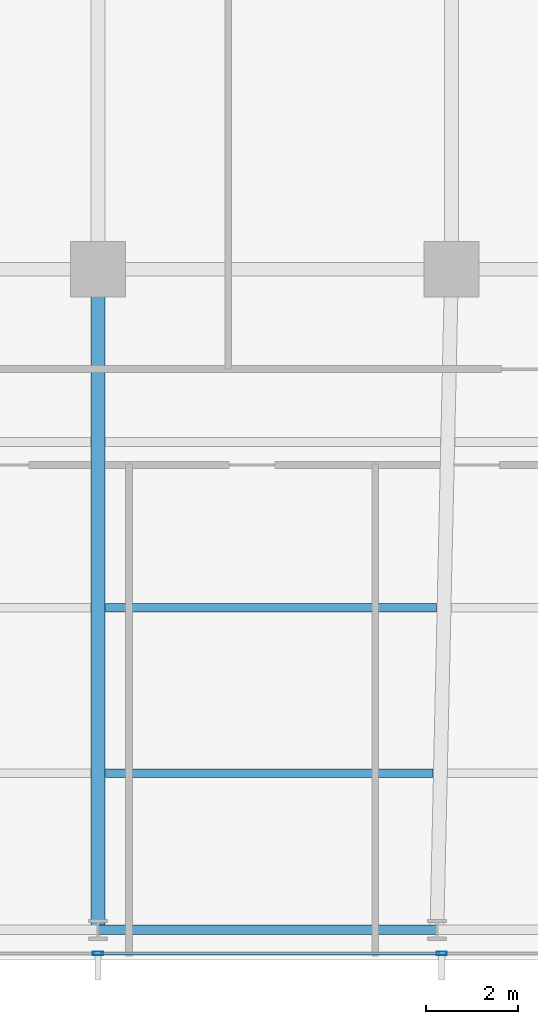
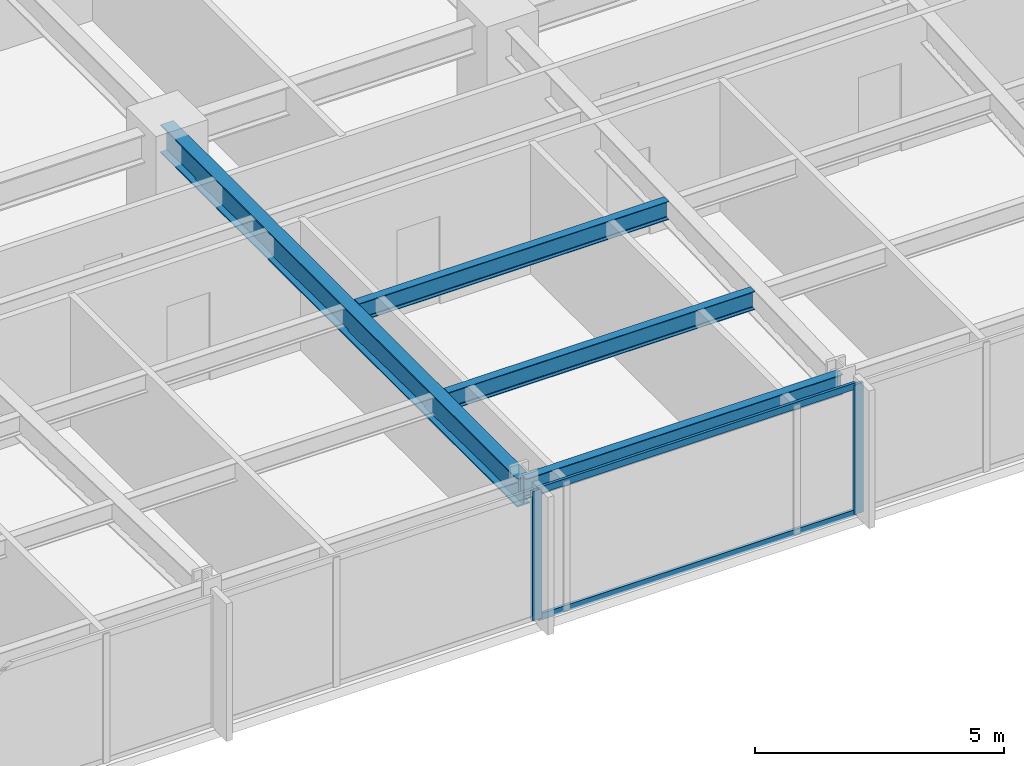
# One storey, part 11 of 32: 4 beams, 4 members, 1 element without a shape of its own.
"""IFC4 building model written with IfcOpenShell, lengths in metres."""

import ifcopenshell
import ifcopenshell.guid

model = None  # the IFC model being written
_history = None  # IfcOwnerHistory: only IFC2X3 demands one
_inside = {}  # id of a spatial element -> (the spatial element, [elements in it])
_under = {}  # id of a project, library or spatial element -> (it, [spatial elements below it])
_declared = {}  # id of a project -> (the project, [libraries it declares])
_typed = {}  # id of a type object -> (the type object, [elements of that type])
_made_of = {}  # id of a material, layer set ... -> (it, [elements and type objects made of it])


def new_model(schema):
    """Start an empty IFC model of exactly this schema.

    Asked for "IFC4X3", IfcOpenShell would pick the latest addendum, in which some entities
    have other attributes; the version numbers below select the first issue.
    IFC2X3 requires an IfcOwnerHistory on every rooted entity: one is made here for all.
    """
    global model, _history
    if schema == "IFC4X3":
        model = ifcopenshell.file(schema_version=(4, 3, 0, 0))
    else:
        model = ifcopenshell.file(schema=schema)
    _inside.clear()
    _under.clear()
    _declared.clear()
    _typed.clear()
    _made_of.clear()
    _history = None
    if model.schema == "IFC2X3":
        org = make("IfcOrganization", Name="unknown")
        user = make(
            "IfcPersonAndOrganization",
            ThePerson=make("IfcPerson", FamilyName="unknown"),
            TheOrganization=org,
        )
        app = make(
            "IfcApplication",
            ApplicationDeveloper=org,
            Version="unknown",
            ApplicationFullName="unknown",
            ApplicationIdentifier="unknown",
        )
        _history = make(
            "IfcOwnerHistory",
            OwningUser=user,
            OwningApplication=app,
            ChangeAction="ADDED",
            CreationDate=0,
        )
    return model


def make(cls, **values):
    """One entity of the class cls with the attributes given. An attribute that is None is left unset."""
    return model.create_entity(
        cls, **{name: value for name, value in values.items() if value is not None}
    )


def rooted(cls, **values):
    """An entity with a GlobalId (a new one), such as an element, a storey or a relation."""
    return make(cls, GlobalId=ifcopenshell.guid.new(), OwnerHistory=_history, **values)


def si_unit(unit_type, name, prefix=None):
    """IfcSIUnit, for example si_unit("LENGTHUNIT", "METRE", prefix="MILLI")."""
    return make("IfcSIUnit", UnitType=unit_type, Prefix=prefix, Name=name)


def assignment(units):
    """IfcUnitAssignment: the units of a project."""
    return None if units is None else make("IfcUnitAssignment", Units=units)


def point(xyz):
    """IfcCartesianPoint."""
    return None if xyz is None else make("IfcCartesianPoint", Coordinates=xyz)


def direction(xyz):
    """IfcDirection."""
    return None if xyz is None else make("IfcDirection", DirectionRatios=xyz)


def frame(location, z_axis=None, x_axis=None):
    """IfcAxis2Placement3D, a coordinate frame: its origin and axes. An axis left out is left unset."""
    return make(
        "IfcAxis2Placement3D",
        Location=point(location),
        Axis=direction(z_axis),
        RefDirection=direction(x_axis),
    )


def frame_2d(location, x_axis=None):
    """IfcAxis2Placement2D, a coordinate frame in the plane: its origin and x axis."""
    return make(
        "IfcAxis2Placement2D", Location=point(location), RefDirection=direction(x_axis)
    )


def origin():
    """The frame at (0, 0, 0) with its axes left unset."""
    return frame((0.0, 0.0, 0.0))


def origin_2d():
    """The frame at (0, 0) in the plane with its x axis left unset."""
    return frame_2d((0.0, 0.0))


def place(relative_to, where):
    """IfcLocalPlacement: puts the frame where relative to a parent placement (None: the world)."""
    return make(
        "IfcLocalPlacement", PlacementRelTo=relative_to, RelativePlacement=where
    )


def context(
    kind, dimensions, precision=None, world=None, true_north=None, identifier=None
):
    """IfcGeometricRepresentationContext, for example the 3D "Model" context."""
    return make(
        "IfcGeometricRepresentationContext",
        ContextIdentifier=identifier,
        ContextType=kind,
        CoordinateSpaceDimension=dimensions,
        Precision=precision,
        WorldCoordinateSystem=world,
        TrueNorth=true_north,
    )


def subcontext(parent, identifier, kind, view, scale=None):
    """IfcGeometricRepresentationSubContext, for example "Body" below "Model"."""
    return make(
        "IfcGeometricRepresentationSubContext",
        ContextIdentifier=identifier,
        ContextType=kind,
        ParentContext=parent,
        TargetScale=scale,
        TargetView=view,
    )


def project(units=None, contexts=None):
    """IfcProject with its units and contexts."""
    return rooted(
        "IfcProject",
        Name="project",
        RepresentationContexts=contexts,
        UnitsInContext=assignment(units),
    )


def spatial(cls, under=None, at=None, **own):
    """A site, building, storey or space (cls), placed at a placement, below another one or the project."""
    s = rooted(cls, ObjectPlacement=at, **own)
    if under is not None:
        _under.setdefault(under.id(), (under, []))[1].append(s)
    return s


def profile(cls, at=None, kind="AREA", **sizes):
    """A parametric profile (cls). Its sizes go by their IFC names, for example OverallWidth=200.0."""
    return make(cls, ProfileType=kind, Position=at, **sizes)


def hollow_rectangle(**sizes):
    """IfcRectangleHollowProfileDef."""
    return profile("IfcRectangleHollowProfileDef", **sizes)


def i_section(**sizes):
    """IfcIShapeProfileDef."""
    return profile("IfcIShapeProfileDef", **sizes)


def extrude(swept, where, along, depth):
    """IfcExtrudedAreaSolid: the profile swept, set in the frame where, extruded along a direction by depth."""
    return make(
        "IfcExtrudedAreaSolid",
        SweptArea=swept,
        Position=where,
        ExtrudedDirection=direction(along),
        Depth=depth,
    )


def shape(context_of_items, identifier, shape_type, items):
    """IfcShapeRepresentation: the items that make up one representation, for example the "Body"."""
    return make(
        "IfcShapeRepresentation",
        ContextOfItems=context_of_items,
        RepresentationIdentifier=identifier,
        RepresentationType=shape_type,
        Items=items,
    )


def material(Name=None, Category=None):
    """IfcMaterial."""
    return make("IfcMaterial", Name=Name, Category=Category)


def material_profile(
    of_material, cross_section, Name=None, Category=None, Priority=None
):
    """IfcMaterialProfile: a cross section and its material."""
    return make(
        "IfcMaterialProfile",
        Name=Name,
        Material=of_material,
        Profile=cross_section,
        Priority=Priority,
        Category=Category,
    )


def profile_set(profiles, Name=None, composite=None):
    """IfcMaterialProfileSet."""
    return make(
        "IfcMaterialProfileSet",
        Name=Name,
        MaterialProfiles=profiles,
        CompositeProfile=composite,
    )


def made_of(thing, what):
    """Note that an element or type object is made of a material, layer set ...; save() writes the relation."""
    if what is not None:
        _made_of.setdefault(what.id(), (what, []))[1].append(thing)
    return thing


def type_object(cls, material=None, **own):
    """A type object (cls), such as IfcWallType, which elements share."""
    return made_of(rooted(cls, **own), material)


def element(
    cls,
    number,
    at=None,
    inside=None,
    cuts=None,
    type_object=None,
    material=None,
    context=None,
    identifier="Body",
    shape_type=None,
    held_by="IfcProductDefinitionShape",
    body=None,
    shapes=None,
    **own,
):
    """One element of the class cls, such as IfcWall. Its Tag is "e" and its number.

    at: its placement. inside: the storey or other place that contains it. cuts: it is an
    opening in that element (IfcRelVoidsElement). A single representation is given by context,
    identifier, shape_type and body (its items); several are given by shapes. held_by: the class
    of the entity that holds the representations. save() writes the other relations.
    """
    e = rooted(cls, Tag="e%d" % number, ObjectPlacement=at, **own)
    if body is not None:
        shapes = [shape(context, identifier, shape_type, body)]
    if shapes is not None:
        e.Representation = make(held_by, Representations=shapes)
    if inside is not None:
        _inside.setdefault(inside.id(), (inside, []))[1].append(e)
    if cuts is not None:
        rooted(
            "IfcRelVoidsElement", RelatingBuildingElement=cuts, RelatedOpeningElement=e
        )
    if type_object is not None:
        _typed.setdefault(type_object.id(), (type_object, []))[1].append(e)
    return made_of(e, material)


def aggregate(whole, parts):
    """IfcRelAggregates: a whole, such as a stair, and the parts it consists of."""
    return rooted("IfcRelAggregates", RelatingObject=whole, RelatedObjects=parts)


def save(model, path):
    """Write the relations noted so far, then the file.

    IfcRelAggregates (storeys below a building ...), IfcRelContainedInSpatialStructure (elements
    in a storey), IfcRelDefinesByType, IfcRelAssociatesMaterial and IfcRelDeclares: one each for
    every whole, place, type object, material and project.
    """
    for whole, parts in _under.values():
        aggregate(whole, parts)
    for where, things in _inside.values():
        rooted(
            "IfcRelContainedInSpatialStructure",
            RelatedElements=things,
            RelatingStructure=where,
        )
    for kind, things in _typed.values():
        rooted("IfcRelDefinesByType", RelatedObjects=things, RelatingType=kind)
    for what, things in _made_of.values():
        rooted("IfcRelAssociatesMaterial", RelatedObjects=things, RelatingMaterial=what)
    for by, libraries in _declared.values():
        rooted("IfcRelDeclares", RelatingContext=by, RelatedDefinitions=libraries)
    model.write(path)


model = new_model("IFC4")

# Units and contexts
model_context = context("Model", 3, precision=1e-05, world=origin(), true_north=direction((0.0, 1.0)))
body_context = subcontext(model_context, "Body", "Model", "MODEL_VIEW")
ifc_project = project(units=[si_unit("LENGTHUNIT", "METRE"), si_unit("AREAUNIT", "SQUARE_METRE"), si_unit("VOLUMEUNIT", "CUBIC_METRE"), si_unit("PLANEANGLEUNIT", "RADIAN"), si_unit("MASSUNIT", "GRAM", prefix="KILO")], contexts=[model_context])

# Site, building, storey
site_placement = place(None, origin())
site = spatial("IfcSite", under=ifc_project, at=site_placement, CompositionType="ELEMENT")
building_placement = place(site_placement, origin())
building = spatial("IfcBuilding", under=site, at=building_placement, Name="Yelkora Congress Tower", CompositionType="ELEMENT")
storey_placement = place(building_placement, frame((0.0, 0.0, 40.60009765625)))
storey = spatial("IfcBuildingStorey", under=building, at=storey_placement, Name="L09", CompositionType="ELEMENT", Elevation=40.60009765625)

# Beams
ifc_material_1 = material(Name="Steel S355J2", Category="steel")
ifc_material_profile_1 = material_profile(ifc_material_1, i_section(OverallWidth=0.300048828125, OverallDepth=0.699951171875, WebThickness=0.01708984375, FlangeThickness=0.031982421875, FilletRadius=0.027099609375, at=origin_2d()), Name="HEB 700")
ifc_profile_set_1 = profile_set([ifc_material_profile_1], Name="Steel S355J2")
beam_type_1 = type_object("IfcBeamType", Name="BM-GIRD-HEB700", PredefinedType="BEAM", material=ifc_profile_set_1)
beam_1_placement = place(storey_placement, frame((38.39990234375, 10.85009765625, 2.829833984375), z_axis=(0.0, 1.0, 0.0), x_axis=(-1.0, 0.0, 0.0)))
element("IfcBeam", 1, at=beam_1_placement, inside=storey, type_object=beam_type_1, Name="L09 Primary Frame Girder S05", PredefinedType="BEAM", context=body_context, shape_type="SweptSolid", body=[
    extrude(i_section(OverallWidth=0.300048828125, OverallDepth=0.699951171875, WebThickness=0.01708984375, FlangeThickness=0.031982421875, FilletRadius=0.027099609375, at=origin_2d()), origin(), (0.0, 0.0, 1.0), 14.349853515625),
])
ifc_material_profile_2 = material_profile(ifc_material_1, i_section(OverallWidth=0.18994140625, OverallDepth=0.449951171875, WebThickness=0.009521484375, FlangeThickness=0.0146484375, FilletRadius=0.02099609375, at=origin_2d()), Name="IPE 450")
ifc_profile_set_2 = profile_set([ifc_material_profile_2], Name="Steel S355J2")
beam_type_2 = type_object("IfcBeamType", Name="BM-JOIST-IPE450", PredefinedType="JOIST", material=ifc_profile_set_2)
beam_2_placement = place(storey_placement, frame((38.56005859375, 14.25, 2.954833984375), z_axis=(1.0, 0.0, 0.0), x_axis=(0.0, 1.0, 0.0)))
element("IfcBeam", 2, at=beam_2_placement, inside=storey, type_object=beam_type_2, Name="L09 Composite Floor Joist 5", PredefinedType="JOIST", context=body_context, shape_type="SweptSolid", body=[
    extrude(i_section(OverallWidth=0.18994140625, OverallDepth=0.449951171875, WebThickness=0.009521484375, FlangeThickness=0.0146484375, FilletRadius=0.02099609375, at=origin_2d()), origin(), (0.0, 0.0, 1.0), 7.11767578125),
])
beam_3_placement = place(storey_placement, frame((38.56005859375, 17.85009765625, 2.954833984375), z_axis=(1.0, 0.0, 0.0), x_axis=(0.0, 1.0, 0.0)))
element("IfcBeam", 3, at=beam_3_placement, inside=storey, type_object=beam_type_2, Name="L09 Composite Floor Joist 13", PredefinedType="JOIST", context=body_context, shape_type="SweptSolid", body=[
    extrude(i_section(OverallWidth=0.18994140625, OverallDepth=0.449951171875, WebThickness=0.009521484375, FlangeThickness=0.0146484375, FilletRadius=0.02099609375, at=origin_2d()), origin(), (0.0, 0.0, 1.0), 7.197265625),
])
ifc_material_profile_3 = material_profile(ifc_material_1, i_section(OverallWidth=0.199951171875, OverallDepth=0.5, WebThickness=0.01025390625, FlangeThickness=0.01611328125, FilletRadius=0.02099609375, at=origin_2d()), Name="IPE 500")
ifc_profile_set_3 = profile_set([ifc_material_profile_3], Name="Steel S355J2")
beam_type_3 = type_object("IfcBeamType", Name="BM-SPAN-IPE500", PredefinedType="SPANDREL", material=ifc_profile_set_3)
beam_4_placement = place(storey_placement, frame((38.39990234375, 10.85009765625, 2.929931640625), z_axis=(1.0, 0.0, 0.0), x_axis=(0.0, 1.0, 0.0)))
element("IfcBeam", 4, at=beam_4_placement, inside=storey, type_object=beam_type_3, Name="L09 Perimeter Beam 6", PredefinedType="SPANDREL", context=body_context, shape_type="SweptSolid", body=[
    extrude(i_section(OverallWidth=0.199951171875, OverallDepth=0.5, WebThickness=0.01025390625, FlangeThickness=0.01611328125, FilletRadius=0.02099609375, at=origin_2d()), origin(), (0.0, 0.0, 1.0), 7.362548828125),
])

# Curtain wall, members
ifc_material_2 = material(Name="Anodised aluminium and insulated glass", Category="aluminium")
curtain_wall_type = type_object("IfcCurtainWallType", Name="CW-SYS-B1", PredefinedType="NOTDEFINED", material=ifc_material_2)
curtain_wall_placement = place(storey_placement, origin())
curtain_wall = element("IfcCurtainWall", 5, at=curtain_wall_placement, inside=storey, type_object=curtain_wall_type, Name="L09 Unitised Curtain Wall 20", PredefinedType="NOTDEFINED")
ifc_material_3 = material(Name="Anodised aluminium 6063-T6", Category="aluminium")
ifc_material_profile_4 = material_profile(ifc_material_3, hollow_rectangle(XDim=0.074951171875, YDim=0.219970703125, WallThickness=0.0048828125, at=origin_2d()), Name="ALU 75x220x5")
ifc_profile_set_4 = profile_set([ifc_material_profile_4], Name="Anodised aluminium 6063-T6")
member_type_1 = type_object("IfcMemberType", Name="MEM-ML-B1", PredefinedType="MULLION", material=ifc_profile_set_4)
member_1_placement = place(storey_placement, frame((45.864990234375, 10.340087890625, 0.0), z_axis=(0.0, 0.0, 1.0), x_axis=(0.0, -1.0, 0.0)))
member_1 = element("IfcMember", 6, at=member_1_placement, type_object=member_type_1, Name="CW-B1 mullion 4", PredefinedType="MULLION", context=body_context, shape_type="SweptSolid", body=[
    extrude(hollow_rectangle(XDim=0.074951171875, YDim=0.219970703125, WallThickness=0.0048828125, at=origin_2d()), origin(), (0.0, 0.0, 1.0), 3.179931640625),
])
member_2_placement = place(storey_placement, frame((38.39990234375, 10.340087890625, 0.0), z_axis=(0.0, 0.0, 1.0), x_axis=(0.0, -1.0, 0.0)))
member_2 = element("IfcMember", 7, at=member_2_placement, type_object=member_type_1, Name="CW-B1 mullion 5", PredefinedType="MULLION", context=body_context, shape_type="SweptSolid", body=[
    extrude(hollow_rectangle(XDim=0.074951171875, YDim=0.219970703125, WallThickness=0.0048828125, at=origin_2d()), origin(), (0.0, 0.0, 1.0), 3.179931640625),
])
ifc_material_profile_5 = material_profile(ifc_material_3, hollow_rectangle(XDim=0.06494140625, YDim=0.159912109375, WallThickness=0.00390625, at=origin_2d()), Name="ALU 65x160x4")
ifc_profile_set_5 = profile_set([ifc_material_profile_5], Name="Anodised aluminium 6063-T6")
member_type_2 = type_object("IfcMemberType", Name="MEM-TR-B1", PredefinedType="USERDEFINED", material=ifc_profile_set_5)
member_3_placement = place(storey_placement, frame((45.827392578125, 10.340087890625, 0.032470703125), z_axis=(-1.0, 0.0, 0.0), x_axis=(0.0, -1.0, 0.0)))
member_3 = element("IfcMember", 8, at=member_3_placement, type_object=member_type_2, Name="CW-B1 transom 4.1", ObjectType="TRANSOM", PredefinedType="USERDEFINED", context=body_context, shape_type="SweptSolid", body=[
    extrude(hollow_rectangle(XDim=0.06494140625, YDim=0.159912109375, WallThickness=0.00390625, at=origin_2d()), origin(), (0.0, 0.0, 1.0), 7.389892578125),
])
member_4_placement = place(storey_placement, frame((45.827392578125, 10.340087890625, 3.1474609375), z_axis=(-1.0, 0.0, 0.0), x_axis=(0.0, -1.0, 0.0)))
member_4 = element("IfcMember", 9, at=member_4_placement, type_object=member_type_2, Name="CW-B1 transom 4.2", ObjectType="TRANSOM", PredefinedType="USERDEFINED", context=body_context, shape_type="SweptSolid", body=[
    extrude(hollow_rectangle(XDim=0.06494140625, YDim=0.159912109375, WallThickness=0.00390625, at=origin_2d()), origin(), (0.0, 0.0, 1.0), 7.389892578125),
])
aggregate(curtain_wall, [member_1, member_2, member_3, member_4])

save(model, "model.ifc")
